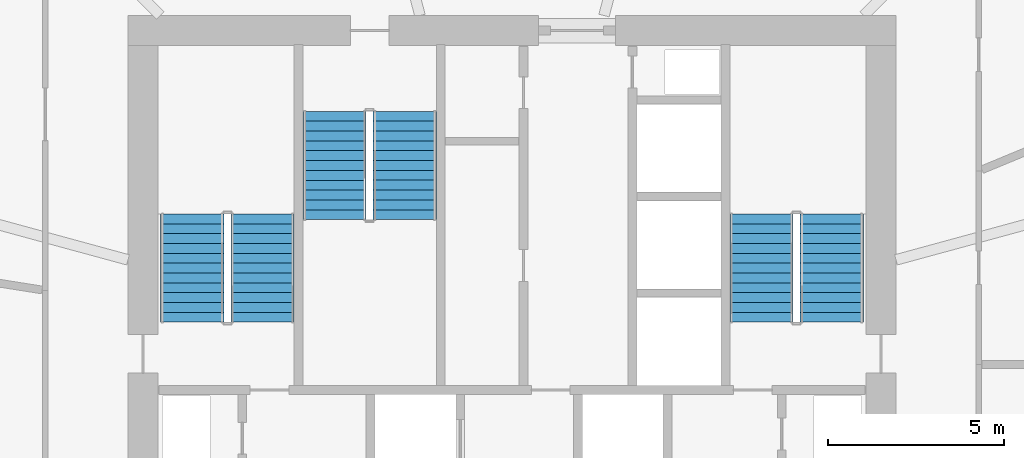
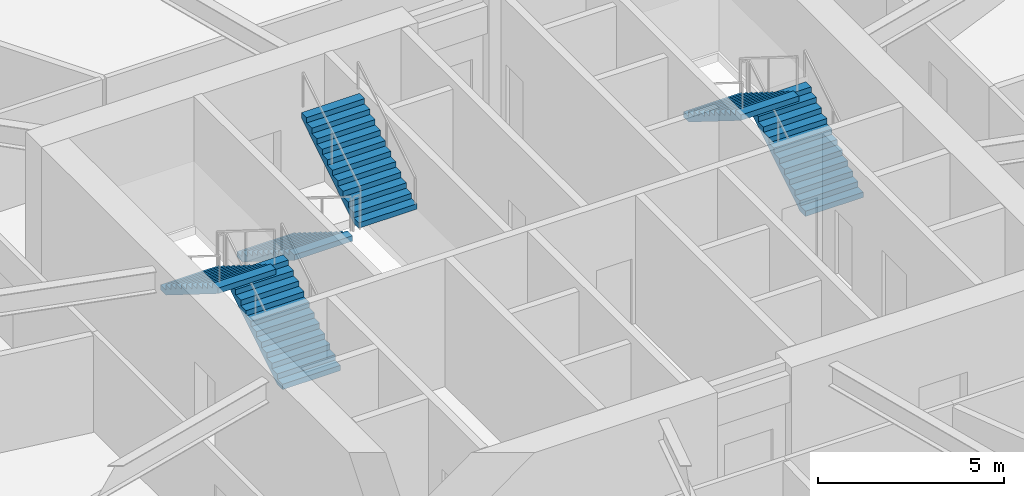
# One storey, part 24 of 25: 6 stair flights, 3 elements without a shape of their own.
"""IFC4 building model written with IfcOpenShell, lengths in metres."""

from ifc_helpers import new_model, si_unit, direction, frame, origin, place, context, subcontext, project, spatial, polyline, outline, extrude, material, type_object, element, aggregate, save


model = new_model("IFC4")

# Units and contexts
model_context = context("Model", 3, precision=1e-05, world=origin(), true_north=direction((0.0, 1.0)))
body_context = subcontext(model_context, "Body", "Model", "MODEL_VIEW")
ifc_project = project(units=[si_unit("LENGTHUNIT", "METRE"), si_unit("AREAUNIT", "SQUARE_METRE"), si_unit("VOLUMEUNIT", "CUBIC_METRE"), si_unit("PLANEANGLEUNIT", "RADIAN"), si_unit("MASSUNIT", "GRAM", prefix="KILO")], contexts=[model_context])

# Site, building, storey
site_placement = place(None, origin())
site = spatial("IfcSite", under=ifc_project, at=site_placement, CompositionType="ELEMENT")
building_placement = place(site_placement, origin())
building = spatial("IfcBuilding", under=site, at=building_placement, Name="Zuhravey Tower", CompositionType="ELEMENT")
storey_placement = place(building_placement, frame((0.0, 0.0, 70.800048828125)))
storey = spatial("IfcBuildingStorey", under=building, at=storey_placement, Name="L17", CompositionType="ELEMENT", Elevation=70.800048828125)

# Stair, stair flights
ifc_material = material(Name="Concrete C40/50", Category="concrete")
stair_type = type_object("IfcStairType", Name="School Storey Stair Assembly 4200", PredefinedType="HALF_TURN_STAIR", material=ifc_material)
stair_1_placement = place(storey_placement, origin())
stair_1 = element("IfcStair", 1, at=stair_1_placement, inside=storey, type_object=stair_type, Name="L17 Core Exit Stair ST1", PredefinedType="HALF_TURN_STAIR")
stair_flight_type = type_object("IfcStairFlightType", Name="School Storey Stair Flight 4200", PredefinedType="STRAIGHT", material=ifc_material)
stair_flight_1_placement = place(storey_placement, frame((28.89990234375, 33.199951171875, 0.0), z_axis=(0.0, 0.0, 1.0), x_axis=(0.0, 1.0, 0.0)))
stair_flight_1 = element("IfcStairFlight", 2, at=stair_flight_1_placement, type_object=stair_flight_type, Name="ST1 flight 1", NumberOfRisers=12, NumberOfTreads=11, PredefinedType="STRAIGHT", RiserHeight=0.175, TreadLength=0.28, context=body_context, shape_type="SweptSolid", body=[
    extrude(outline(polyline([(0.0, 0.0), (0.0, 0.175048828125), (0.280029296875, 0.175048828125), (0.280029296875, 0.35009765625), (0.56005859375, 0.35009765625), (0.56005859375, 0.52490234375), (0.840087890625, 0.52490234375), (0.840087890625, 0.699951171875), (1.1201171875, 0.699951171875), (1.1201171875, 0.875), (1.39990234375, 0.875), (1.39990234375, 1.050048828125), (1.679931640625, 1.050048828125), (1.679931640625, 1.22509765625), (1.9599609375, 1.22509765625), (1.9599609375, 1.39990234375), (2.239990234375, 1.39990234375), (2.239990234375, 1.574951171875), (2.52001953125, 1.574951171875), (2.52001953125, 1.75), (2.800048828125, 1.75), (2.800048828125, 1.925048828125), (3.080078125, 1.925048828125), (3.080078125, 2.10009765625), (3.080078125, 1.748291015625), (0.28271484375, 0.0), (0.0, 0.0)])), frame((0.0, 0.89990234375, 0.0), z_axis=(0.0, -1.0, 0.0), x_axis=(1.0, 0.0, 0.0)), (0.0, 0.0, 1.0), 1.800048828125),
])
stair_flight_2_placement = place(storey_placement, frame((26.89990234375, 36.280029296875, 2.099853515625), z_axis=(0.0, 0.0, 1.0), x_axis=(0.0, -1.0, 0.0)))
stair_flight_2 = element("IfcStairFlight", 3, at=stair_flight_2_placement, type_object=stair_flight_type, Name="ST1 flight 2", NumberOfRisers=12, NumberOfTreads=11, PredefinedType="STRAIGHT", RiserHeight=0.175, TreadLength=0.28, context=body_context, shape_type="SweptSolid", body=[
    extrude(outline(polyline([(0.0, 0.0), (0.0, 0.175048828125), (0.280029296875, 0.175048828125), (0.280029296875, 0.35009765625), (0.56005859375, 0.35009765625), (0.56005859375, 0.52490234375), (0.840087890625, 0.52490234375), (0.840087890625, 0.699951171875), (1.1201171875, 0.699951171875), (1.1201171875, 0.875), (1.39990234375, 0.875), (1.39990234375, 1.050048828125), (1.679931640625, 1.050048828125), (1.679931640625, 1.22509765625), (1.9599609375, 1.22509765625), (1.9599609375, 1.39990234375), (2.239990234375, 1.39990234375), (2.239990234375, 1.574951171875), (2.52001953125, 1.574951171875), (2.52001953125, 1.75), (2.800048828125, 1.75), (2.800048828125, 1.925048828125), (3.080078125, 1.925048828125), (3.080078125, 2.10009765625), (3.080078125, 1.748291015625), (0.28271484375, 0.0), (0.0, 0.0)])), frame((0.0, 0.89990234375, 0.0), z_axis=(0.0, -1.0, 0.0), x_axis=(1.0, 0.0, 0.0)), (0.0, 0.0, 1.0), 1.800048828125),
])
aggregate(stair_1, [stair_flight_1, stair_flight_2])

stair_2_placement = place(storey_placement, origin())
stair_2 = element("IfcStair", 4, at=stair_2_placement, inside=storey, type_object=stair_type, Name="L17 Core Exit Stair ST2", PredefinedType="HALF_TURN_STAIR")
stair_flight_3_placement = place(storey_placement, frame((45.10009765625, 33.199951171875, 0.0), z_axis=(0.0, 0.0, 1.0), x_axis=(0.0, 1.0, 0.0)))
stair_flight_3 = element("IfcStairFlight", 5, at=stair_flight_3_placement, type_object=stair_flight_type, Name="ST2 flight 1", NumberOfRisers=12, NumberOfTreads=11, PredefinedType="STRAIGHT", RiserHeight=0.175, TreadLength=0.28, context=body_context, shape_type="SweptSolid", body=[
    extrude(outline(polyline([(0.0, 0.0), (0.0, 0.175048828125), (0.280029296875, 0.175048828125), (0.280029296875, 0.35009765625), (0.56005859375, 0.35009765625), (0.56005859375, 0.52490234375), (0.840087890625, 0.52490234375), (0.840087890625, 0.699951171875), (1.1201171875, 0.699951171875), (1.1201171875, 0.875), (1.39990234375, 0.875), (1.39990234375, 1.050048828125), (1.679931640625, 1.050048828125), (1.679931640625, 1.22509765625), (1.9599609375, 1.22509765625), (1.9599609375, 1.39990234375), (2.239990234375, 1.39990234375), (2.239990234375, 1.574951171875), (2.52001953125, 1.574951171875), (2.52001953125, 1.75), (2.800048828125, 1.75), (2.800048828125, 1.925048828125), (3.080078125, 1.925048828125), (3.080078125, 2.10009765625), (3.080078125, 1.748291015625), (0.28271484375, 0.0), (0.0, 0.0)])), frame((0.0, 0.89990234375, 0.0), z_axis=(0.0, -1.0, 0.0), x_axis=(1.0, 0.0, 0.0)), (0.0, 0.0, 1.0), 1.800048828125),
])
stair_flight_4_placement = place(storey_placement, frame((43.10009765625, 36.280029296875, 2.099853515625), z_axis=(0.0, 0.0, 1.0), x_axis=(0.0, -1.0, 0.0)))
stair_flight_4 = element("IfcStairFlight", 6, at=stair_flight_4_placement, type_object=stair_flight_type, Name="ST2 flight 2", NumberOfRisers=12, NumberOfTreads=11, PredefinedType="STRAIGHT", RiserHeight=0.175, TreadLength=0.28, context=body_context, shape_type="SweptSolid", body=[
    extrude(outline(polyline([(0.0, 0.0), (0.0, 0.175048828125), (0.280029296875, 0.175048828125), (0.280029296875, 0.35009765625), (0.56005859375, 0.35009765625), (0.56005859375, 0.52490234375), (0.840087890625, 0.52490234375), (0.840087890625, 0.699951171875), (1.1201171875, 0.699951171875), (1.1201171875, 0.875), (1.39990234375, 0.875), (1.39990234375, 1.050048828125), (1.679931640625, 1.050048828125), (1.679931640625, 1.22509765625), (1.9599609375, 1.22509765625), (1.9599609375, 1.39990234375), (2.239990234375, 1.39990234375), (2.239990234375, 1.574951171875), (2.52001953125, 1.574951171875), (2.52001953125, 1.75), (2.800048828125, 1.75), (2.800048828125, 1.925048828125), (3.080078125, 1.925048828125), (3.080078125, 2.10009765625), (3.080078125, 1.748291015625), (0.28271484375, 0.0), (0.0, 0.0)])), frame((0.0, 0.89990234375, 0.0), z_axis=(0.0, -1.0, 0.0), x_axis=(1.0, 0.0, 0.0)), (0.0, 0.0, 1.0), 1.800048828125),
])
aggregate(stair_2, [stair_flight_3, stair_flight_4])

stair_3_placement = place(storey_placement, origin())
stair_3 = element("IfcStair", 7, at=stair_3_placement, inside=storey, type_object=stair_type, Name="L17 Core Exit Stair ST3", PredefinedType="HALF_TURN_STAIR")
stair_flight_5_placement = place(storey_placement, frame((30.949951171875, 39.199951171875, 0.0), z_axis=(0.0, 0.0, 1.0), x_axis=(0.0, -1.0, 0.0)))
stair_flight_5 = element("IfcStairFlight", 8, at=stair_flight_5_placement, type_object=stair_flight_type, Name="ST3 flight 1", NumberOfRisers=12, NumberOfTreads=11, PredefinedType="STRAIGHT", RiserHeight=0.175, TreadLength=0.28, context=body_context, shape_type="SweptSolid", body=[
    extrude(outline(polyline([(0.0, 0.0), (0.0, 0.175048828125), (0.280029296875, 0.175048828125), (0.280029296875, 0.35009765625), (0.56005859375, 0.35009765625), (0.56005859375, 0.52490234375), (0.840087890625, 0.52490234375), (0.840087890625, 0.699951171875), (1.1201171875, 0.699951171875), (1.1201171875, 0.875), (1.39990234375, 0.875), (1.39990234375, 1.050048828125), (1.679931640625, 1.050048828125), (1.679931640625, 1.22509765625), (1.9599609375, 1.22509765625), (1.9599609375, 1.39990234375), (2.239990234375, 1.39990234375), (2.239990234375, 1.574951171875), (2.52001953125, 1.574951171875), (2.52001953125, 1.75), (2.800048828125, 1.75), (2.800048828125, 1.925048828125), (3.080078125, 1.925048828125), (3.080078125, 2.10009765625), (3.080078125, 1.748291015625), (0.28271484375, 0.0), (0.0, 0.0)])), frame((0.0, 0.89990234375, 0.0), z_axis=(0.0, -1.0, 0.0), x_axis=(1.0, 0.0, 0.0)), (0.0, 0.0, 1.0), 1.800048828125),
])
stair_flight_6_placement = place(storey_placement, frame((32.949951171875, 36.1201171875, 2.099853515625), z_axis=(0.0, 0.0, 1.0), x_axis=(0.0, 1.0, 0.0)))
stair_flight_6 = element("IfcStairFlight", 9, at=stair_flight_6_placement, type_object=stair_flight_type, Name="ST3 flight 2", NumberOfRisers=12, NumberOfTreads=11, PredefinedType="STRAIGHT", RiserHeight=0.175, TreadLength=0.28, context=body_context, shape_type="SweptSolid", body=[
    extrude(outline(polyline([(0.0, 0.0), (0.0, 0.175048828125), (0.280029296875, 0.175048828125), (0.280029296875, 0.35009765625), (0.56005859375, 0.35009765625), (0.56005859375, 0.52490234375), (0.840087890625, 0.52490234375), (0.840087890625, 0.699951171875), (1.1201171875, 0.699951171875), (1.1201171875, 0.875), (1.39990234375, 0.875), (1.39990234375, 1.050048828125), (1.679931640625, 1.050048828125), (1.679931640625, 1.22509765625), (1.9599609375, 1.22509765625), (1.9599609375, 1.39990234375), (2.239990234375, 1.39990234375), (2.239990234375, 1.574951171875), (2.52001953125, 1.574951171875), (2.52001953125, 1.75), (2.800048828125, 1.75), (2.800048828125, 1.925048828125), (3.080078125, 1.925048828125), (3.080078125, 2.10009765625), (3.080078125, 1.748291015625), (0.28271484375, 0.0), (0.0, 0.0)])), frame((0.0, 0.89990234375, 0.0), z_axis=(0.0, -1.0, 0.0), x_axis=(1.0, 0.0, 0.0)), (0.0, 0.0, 1.0), 1.800048828125),
])
aggregate(stair_3, [stair_flight_5, stair_flight_6])

save(model, "model.ifc")
